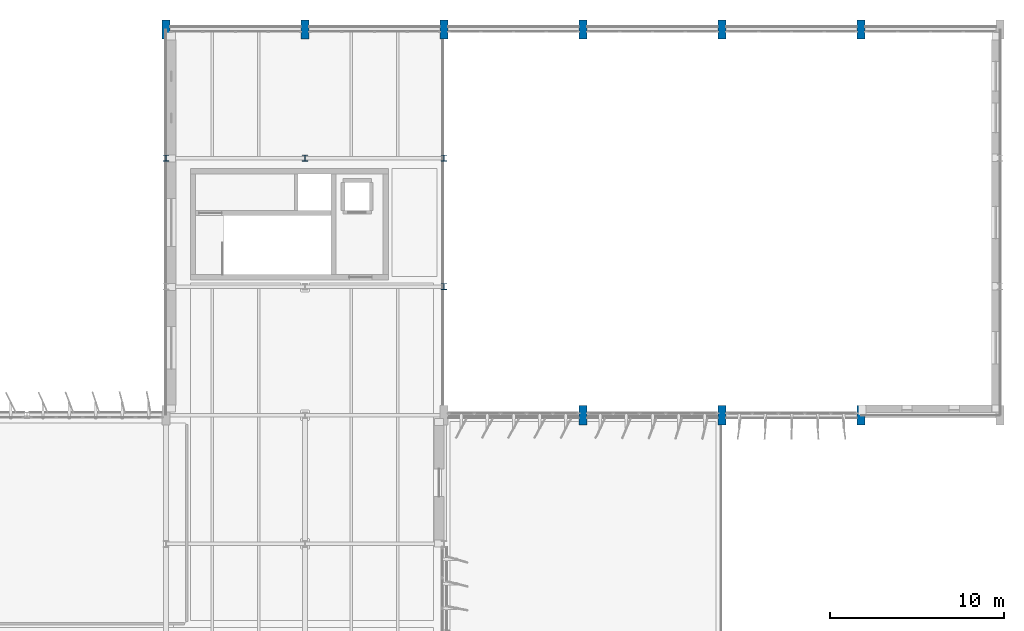
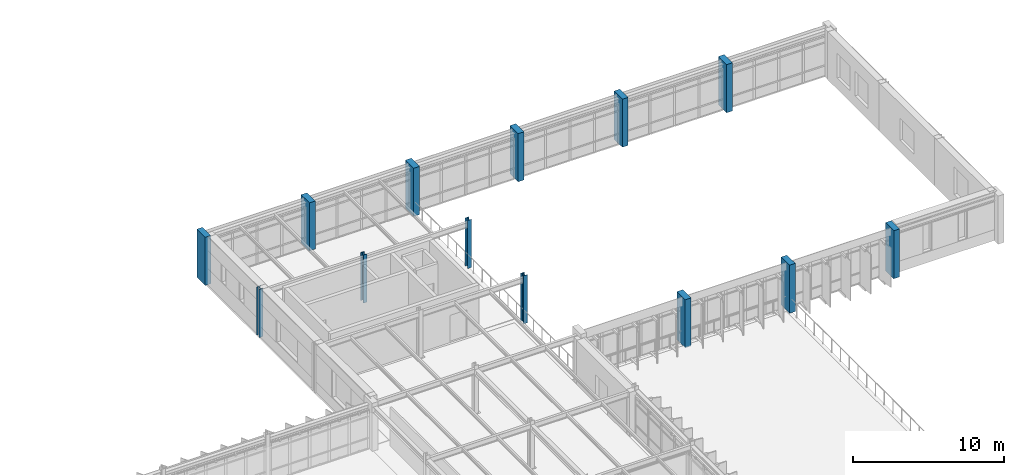
# One storey, part 4 of 45: 13 columns.
"""IFC4 building model written with IfcOpenShell, lengths in metres."""

from ifc_helpers import new_model, si_unit, direction, frame, origin, origin_2d, place, context, subcontext, project, spatial, rectangle, i_section, extrude, material, material_profile, profile_set, type_object, element, save


model = new_model("IFC4")

# Units and contexts
model_context = context("Model", 3, precision=1e-05, world=origin(), true_north=direction((0.0, 1.0)))
body_context = subcontext(model_context, "Body", "Model", "MODEL_VIEW")
ifc_project = project(units=[si_unit("LENGTHUNIT", "METRE"), si_unit("AREAUNIT", "SQUARE_METRE"), si_unit("VOLUMEUNIT", "CUBIC_METRE"), si_unit("PLANEANGLEUNIT", "RADIAN"), si_unit("MASSUNIT", "GRAM", prefix="KILO")], contexts=[model_context])

# Site, building, storey
site_placement = place(None, origin())
site = spatial("IfcSite", under=ifc_project, at=site_placement, CompositionType="ELEMENT")
building_placement = place(site_placement, origin())
building = spatial("IfcBuilding", under=site, at=building_placement, Name="Valkorina Park Police Headquarters", CompositionType="ELEMENT")
storey_placement = place(building_placement, frame((0.0, 0.0, 23.300048828125)))
storey = spatial("IfcBuildingStorey", under=building, at=storey_placement, Name="L06", CompositionType="ELEMENT", Elevation=23.300048828125)

# Columns
ifc_material_1 = material(Name="Concrete C40/50", Category="concrete")
ifc_material_profile_1 = material_profile(ifc_material_1, rectangle(XDim=0.449951171875, YDim=1.10009765625, at=origin_2d()), Name="RC PIER 450x1100")
ifc_profile_set_1 = profile_set([ifc_material_profile_1], Name="Concrete C40/50")
column_type_1 = type_object("IfcColumnType", Name="COL-RC-PIER-EXT", PredefinedType="PILASTER", material=ifc_profile_set_1)
for number, where, z_axis, x_axis, name in (
    (1, (80.800048828125, 81.39990234375, 0.0), (0.0, 0.0, 1.0), (1.0, 0.0, 0.0), "L06 Column 1067"),
    (2, (88.800048828125, 81.39990234375, 0.0), (0.0, 0.0, 1.0), (1.0, 0.0, 0.0), "L06 Column 1074"),
    (3, (96.800048828125, 81.39990234375, 0.0), (0.0, 0.0, 1.0), (1.0, 0.0, 0.0), "L06 Column 1081"),
    (4, (104.800048828125, 59.199951171875, 0.0), (0.0, 0.0, 1.0), (1.0, 0.0, 0.0), "L06 Column 1082"),
    (5, (104.800048828125, 81.39990234375, 0.0), (0.0, 0.0, 1.0), (1.0, 0.0, 0.0), "L06 Column 1083"),
    (6, (112.800048828125, 59.199951171875, 0.0), (0.0, 0.0, 1.0), (1.0, 0.0, 0.0), "L06 Column 1084"),
    (7, (112.800048828125, 81.39990234375, 0.0), (0.0, 0.0, 1.0), (1.0, 0.0, 0.0), "L06 Column 1085"),
    (8, (120.800048828125, 59.199951171875, 0.0), (0.0, 0.0, 1.0), (1.0, 0.0, 0.0), "L06 Column 1086"),
    (9, (120.800048828125, 81.39990234375, 0.0), (0.0, 0.0, 1.0), (1.0, 0.0, 0.0), "L06 Column 1087"),
):
    element("IfcColumn", number, at=place(storey_placement, frame(where, z_axis=z_axis, x_axis=x_axis)), inside=storey, type_object=column_type_1, Name=name, PredefinedType="PILASTER", context=body_context, shape_type="SweptSolid", body=[
        extrude(rectangle(XDim=0.449951171875, YDim=1.10009765625, at=origin_2d()), origin(), (0.0, 0.0, 1.0), 3.89990234375),
    ])
ifc_material_2 = material(Name="Steel S355", Category="steel")
ifc_material_profile_2 = material_profile(ifc_material_2, i_section(OverallWidth=0.300048828125, OverallDepth=0.360107421875, WebThickness=0.012451171875, FlangeThickness=0.0224609375, FilletRadius=0.027099609375, at=origin_2d()), Name="HEB 360")
ifc_profile_set_2 = profile_set([ifc_material_profile_2], Name="Steel S355")
column_type_2 = type_object("IfcColumnType", Name="COL-S355-HEB360-EXT", PredefinedType="COLUMN", material=ifc_profile_set_2)
for number, where, z_axis, x_axis, name in (
    (10, (80.800048828125, 74.0, 0.0), (0.0, 0.0, 1.0), (1.0, 0.0, 0.0), "L06 Column 1066"),
    (11, (96.800048828125, 66.60009765625, 0.0), (0.0, 0.0, 1.0), (1.0, 0.0, 0.0), "L06 Column 1079"),
    (12, (96.800048828125, 74.0, 0.0), (0.0, 0.0, 1.0), (1.0, 0.0, 0.0), "L06 Column 1080"),
):
    element("IfcColumn", number, at=place(storey_placement, frame(where, z_axis=z_axis, x_axis=x_axis)), inside=storey, type_object=column_type_2, Name=name, PredefinedType="COLUMN", context=body_context, shape_type="SweptSolid", body=[
        extrude(i_section(OverallWidth=0.300048828125, OverallDepth=0.360107421875, WebThickness=0.012451171875, FlangeThickness=0.0224609375, FilletRadius=0.027099609375, at=origin_2d()), origin(), (0.0, 0.0, 1.0), 3.89990234375),
    ])
ifc_material_profile_3 = material_profile(ifc_material_2, i_section(OverallWidth=0.300048828125, OverallDepth=0.360107421875, WebThickness=0.012451171875, FlangeThickness=0.0224609375, FilletRadius=0.027099609375, at=origin_2d()), Name="HEB 360")
ifc_profile_set_3 = profile_set([ifc_material_profile_3], Name="Steel S355")
column_type_3 = type_object("IfcColumnType", Name="COL-S355-HEB360-INT", PredefinedType="COLUMN", material=ifc_profile_set_3)
column_placement = place(storey_placement, frame((88.800048828125, 74.0, 0.0), z_axis=(0.0, 0.0, 1.0), x_axis=(1.0, 0.0, 0.0)))
element("IfcColumn", 13, at=column_placement, inside=storey, type_object=column_type_3, Name="L06 Column 1073", PredefinedType="COLUMN", context=body_context, shape_type="SweptSolid", body=[
    extrude(i_section(OverallWidth=0.300048828125, OverallDepth=0.360107421875, WebThickness=0.012451171875, FlangeThickness=0.0224609375, FilletRadius=0.027099609375, at=origin_2d()), origin(), (0.0, 0.0, 1.0), 3.89990234375),
])

save(model, "model.ifc")
